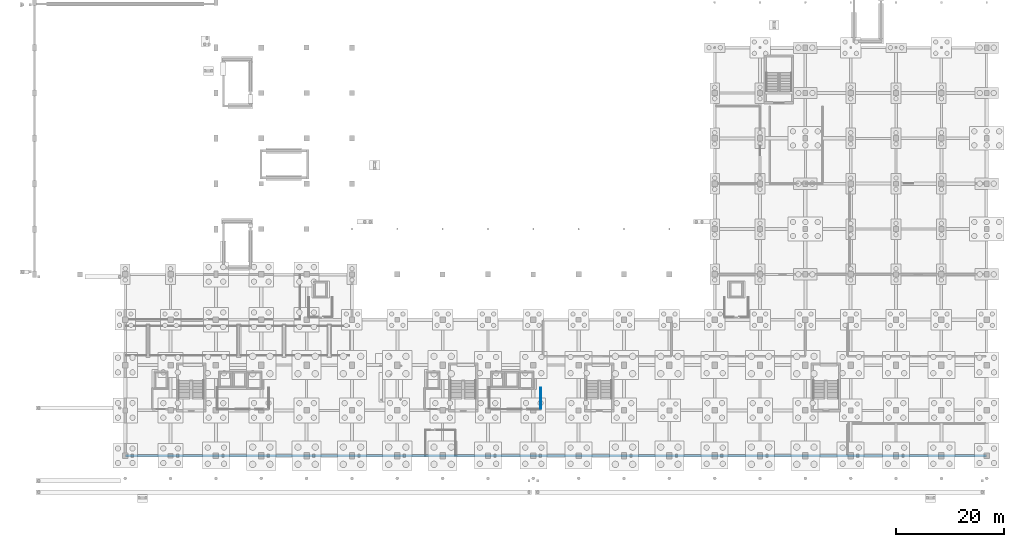
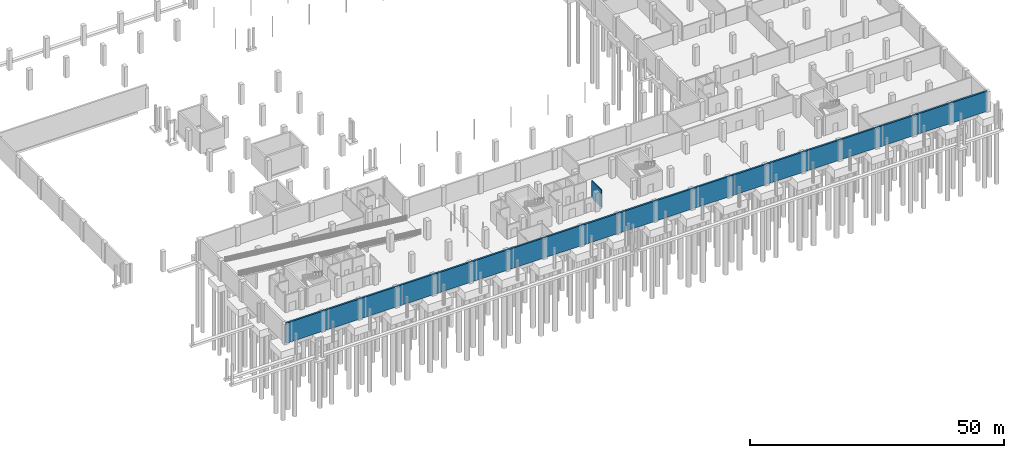
# One storey, part 32 of 39: 2 walls.
"""IFC4 building model written with IfcOpenShell, lengths in metres."""

import ifcopenshell
import ifcopenshell.guid

model = None  # the IFC model being written
_history = None  # IfcOwnerHistory: only IFC2X3 demands one
_inside = {}  # id of a spatial element -> (the spatial element, [elements in it])
_under = {}  # id of a project, library or spatial element -> (it, [spatial elements below it])
_declared = {}  # id of a project -> (the project, [libraries it declares])
_typed = {}  # id of a type object -> (the type object, [elements of that type])
_made_of = {}  # id of a material, layer set ... -> (it, [elements and type objects made of it])


def new_model(schema):
    """Start an empty IFC model of exactly this schema.

    Asked for "IFC4X3", IfcOpenShell would pick the latest addendum, in which some entities
    have other attributes; the version numbers below select the first issue.
    IFC2X3 requires an IfcOwnerHistory on every rooted entity: one is made here for all.
    """
    global model, _history
    if schema == "IFC4X3":
        model = ifcopenshell.file(schema_version=(4, 3, 0, 0))
    else:
        model = ifcopenshell.file(schema=schema)
    _inside.clear()
    _under.clear()
    _declared.clear()
    _typed.clear()
    _made_of.clear()
    _history = None
    if model.schema == "IFC2X3":
        org = make("IfcOrganization", Name="unknown")
        user = make(
            "IfcPersonAndOrganization",
            ThePerson=make("IfcPerson", FamilyName="unknown"),
            TheOrganization=org,
        )
        app = make(
            "IfcApplication",
            ApplicationDeveloper=org,
            Version="unknown",
            ApplicationFullName="unknown",
            ApplicationIdentifier="unknown",
        )
        _history = make(
            "IfcOwnerHistory",
            OwningUser=user,
            OwningApplication=app,
            ChangeAction="ADDED",
            CreationDate=0,
        )
    return model


def make(cls, **values):
    """One entity of the class cls with the attributes given. An attribute that is None is left unset."""
    return model.create_entity(
        cls, **{name: value for name, value in values.items() if value is not None}
    )


def rooted(cls, **values):
    """An entity with a GlobalId (a new one), such as an element, a storey or a relation."""
    return make(cls, GlobalId=ifcopenshell.guid.new(), OwnerHistory=_history, **values)


def si_unit(unit_type, name, prefix=None):
    """IfcSIUnit, for example si_unit("LENGTHUNIT", "METRE", prefix="MILLI")."""
    return make("IfcSIUnit", UnitType=unit_type, Prefix=prefix, Name=name)


def derived_unit(unit_type, elements):
    """IfcDerivedUnit: a product of units, each with its exponent."""
    return make(
        "IfcDerivedUnit",
        Elements=[
            make("IfcDerivedUnitElement", Unit=unit, Exponent=power)
            for unit, power in elements
        ],
        UnitType=unit_type,
    )


def assignment(units):
    """IfcUnitAssignment: the units of a project."""
    return None if units is None else make("IfcUnitAssignment", Units=units)


def point(xyz):
    """IfcCartesianPoint."""
    return None if xyz is None else make("IfcCartesianPoint", Coordinates=xyz)


def direction(xyz):
    """IfcDirection."""
    return None if xyz is None else make("IfcDirection", DirectionRatios=xyz)


def frame(location, z_axis=None, x_axis=None):
    """IfcAxis2Placement3D, a coordinate frame: its origin and axes. An axis left out is left unset."""
    return make(
        "IfcAxis2Placement3D",
        Location=point(location),
        Axis=direction(z_axis),
        RefDirection=direction(x_axis),
    )


def frame_2d(location, x_axis=None):
    """IfcAxis2Placement2D, a coordinate frame in the plane: its origin and x axis."""
    return make(
        "IfcAxis2Placement2D", Location=point(location), RefDirection=direction(x_axis)
    )


def origin():
    """The frame at (0, 0, 0) with its axes left unset."""
    return frame((0.0, 0.0, 0.0))


def place(relative_to, where):
    """IfcLocalPlacement: puts the frame where relative to a parent placement (None: the world)."""
    return make(
        "IfcLocalPlacement", PlacementRelTo=relative_to, RelativePlacement=where
    )


def context(
    kind, dimensions, precision=None, world=None, true_north=None, identifier=None
):
    """IfcGeometricRepresentationContext, for example the 3D "Model" context."""
    return make(
        "IfcGeometricRepresentationContext",
        ContextIdentifier=identifier,
        ContextType=kind,
        CoordinateSpaceDimension=dimensions,
        Precision=precision,
        WorldCoordinateSystem=world,
        TrueNorth=true_north,
    )


def subcontext(parent, identifier, kind, view, scale=None):
    """IfcGeometricRepresentationSubContext, for example "Body" below "Model"."""
    return make(
        "IfcGeometricRepresentationSubContext",
        ContextIdentifier=identifier,
        ContextType=kind,
        ParentContext=parent,
        TargetScale=scale,
        TargetView=view,
    )


def project(units=None, contexts=None):
    """IfcProject with its units and contexts."""
    return rooted(
        "IfcProject",
        Name="project",
        RepresentationContexts=contexts,
        UnitsInContext=assignment(units),
    )


def spatial(cls, under=None, at=None, **own):
    """A site, building, storey or space (cls), placed at a placement, below another one or the project."""
    s = rooted(cls, ObjectPlacement=at, **own)
    if under is not None:
        _under.setdefault(under.id(), (under, []))[1].append(s)
    return s


def profile(cls, at=None, kind="AREA", **sizes):
    """A parametric profile (cls). Its sizes go by their IFC names, for example OverallWidth=200.0."""
    return make(cls, ProfileType=kind, Position=at, **sizes)


def rectangle(**sizes):
    """IfcRectangleProfileDef."""
    return profile("IfcRectangleProfileDef", **sizes)


def extrude(swept, where, along, depth):
    """IfcExtrudedAreaSolid: the profile swept, set in the frame where, extruded along a direction by depth."""
    return make(
        "IfcExtrudedAreaSolid",
        SweptArea=swept,
        Position=where,
        ExtrudedDirection=direction(along),
        Depth=depth,
    )


def shape(context_of_items, identifier, shape_type, items):
    """IfcShapeRepresentation: the items that make up one representation, for example the "Body"."""
    return make(
        "IfcShapeRepresentation",
        ContextOfItems=context_of_items,
        RepresentationIdentifier=identifier,
        RepresentationType=shape_type,
        Items=items,
    )


def material(Name=None, Category=None):
    """IfcMaterial."""
    return make("IfcMaterial", Name=Name, Category=Category)


def layer(
    of_material, thickness, ventilated=None, Name=None, Category=None, Priority=None
):
    """IfcMaterialLayer: one layer of a wall or slab, of a material (None: an air gap)."""
    return make(
        "IfcMaterialLayer",
        Material=of_material,
        LayerThickness=thickness,
        IsVentilated=ventilated,
        Name=Name,
        Category=Category,
        Priority=Priority,
    )


def layer_set(layers, Name=None):
    """IfcMaterialLayerSet."""
    return make("IfcMaterialLayerSet", MaterialLayers=layers, LayerSetName=Name)


def made_of(thing, what):
    """Note that an element or type object is made of a material, layer set ...; save() writes the relation."""
    if what is not None:
        _made_of.setdefault(what.id(), (what, []))[1].append(thing)
    return thing


def type_object(cls, material=None, **own):
    """A type object (cls), such as IfcWallType, which elements share."""
    return made_of(rooted(cls, **own), material)


def element(
    cls,
    number,
    at=None,
    inside=None,
    cuts=None,
    type_object=None,
    material=None,
    context=None,
    identifier="Body",
    shape_type=None,
    held_by="IfcProductDefinitionShape",
    body=None,
    shapes=None,
    **own,
):
    """One element of the class cls, such as IfcWall. Its Tag is "e" and its number.

    at: its placement. inside: the storey or other place that contains it. cuts: it is an
    opening in that element (IfcRelVoidsElement). A single representation is given by context,
    identifier, shape_type and body (its items); several are given by shapes. held_by: the class
    of the entity that holds the representations. save() writes the other relations.
    """
    e = rooted(cls, Tag="e%d" % number, ObjectPlacement=at, **own)
    if body is not None:
        shapes = [shape(context, identifier, shape_type, body)]
    if shapes is not None:
        e.Representation = make(held_by, Representations=shapes)
    if inside is not None:
        _inside.setdefault(inside.id(), (inside, []))[1].append(e)
    if cuts is not None:
        rooted(
            "IfcRelVoidsElement", RelatingBuildingElement=cuts, RelatedOpeningElement=e
        )
    if type_object is not None:
        _typed.setdefault(type_object.id(), (type_object, []))[1].append(e)
    return made_of(e, material)


def aggregate(whole, parts):
    """IfcRelAggregates: a whole, such as a stair, and the parts it consists of."""
    return rooted("IfcRelAggregates", RelatingObject=whole, RelatedObjects=parts)


def save(model, path):
    """Write the relations noted so far, then the file.

    IfcRelAggregates (storeys below a building ...), IfcRelContainedInSpatialStructure (elements
    in a storey), IfcRelDefinesByType, IfcRelAssociatesMaterial and IfcRelDeclares: one each for
    every whole, place, type object, material and project.
    """
    for whole, parts in _under.values():
        aggregate(whole, parts)
    for where, things in _inside.values():
        rooted(
            "IfcRelContainedInSpatialStructure",
            RelatedElements=things,
            RelatingStructure=where,
        )
    for kind, things in _typed.values():
        rooted("IfcRelDefinesByType", RelatedObjects=things, RelatingType=kind)
    for what, things in _made_of.values():
        rooted("IfcRelAssociatesMaterial", RelatedObjects=things, RelatingMaterial=what)
    for by, libraries in _declared.values():
        rooted("IfcRelDeclares", RelatingContext=by, RelatedDefinitions=libraries)
    model.write(path)


model = new_model("IFC4")

# Units and contexts
model_context = context("Model", 3, precision=1e-05, world=origin(), true_north=direction((0.0, 1.0)))
body_context = subcontext(model_context, "Body", "Model", "MODEL_VIEW")
ifc_project = project(units=[si_unit("LENGTHUNIT", "METRE"), si_unit("AREAUNIT", "SQUARE_METRE"), si_unit("VOLUMEUNIT", "CUBIC_METRE"), si_unit("PLANEANGLEUNIT", "RADIAN"), si_unit("MASSUNIT", "GRAM", prefix="KILO"), derived_unit("THERMALTRANSMITTANCEUNIT", [(si_unit("POWERUNIT", "WATT"), 1), (si_unit("LENGTHUNIT", "METRE"), -2), (si_unit("THERMODYNAMICTEMPERATUREUNIT", "KELVIN"), -1)])], contexts=[model_context])

# Site, building, storey
site_placement = place(None, origin())
site = spatial("IfcSite", under=ifc_project, at=site_placement, CompositionType="ELEMENT")
building_placement = place(site_placement, origin())
building = spatial("IfcBuilding", under=site, at=building_placement, Name="Barrovel Congress Hotel", CompositionType="ELEMENT")
storey_placement = place(building_placement, frame((0.0, 0.0, -4.5)))
storey = spatial("IfcBuildingStorey", under=building, at=storey_placement, Name="B01", CompositionType="ELEMENT", Elevation=-4.5)

# Walls
ifc_material_1 = material(Name="Concrete C40", Category="concrete")
ifc_layer_1 = layer(ifc_material_1, 0.39990234375)
ifc_layer_set_1 = layer_set([ifc_layer_1], Name="Concrete C40")
wall_type_1 = type_object("IfcWallType", Name="EW-RET400", PredefinedType="STANDARD", material=ifc_layer_set_1)
wall_1_placement = place(storey_placement, frame((16.800048828125, 4.199951171875, -0.360107421875), z_axis=(0.0, 0.0, 1.0), x_axis=(1.0, 0.0, 0.0)))
element("IfcWall", 1, at=wall_1_placement, inside=storey, type_object=wall_type_1, Name="EW:B01:RET-01", PredefinedType="STANDARD", context=body_context, shape_type="SweptSolid", body=[
    extrude(rectangle(XDim=159.599853515625, YDim=0.39990234375, at=frame_2d((79.7998046875, 0.0))), origin(), (0.0, 0.0, 1.0), 4.860107421875),
])
ifc_material_2 = material(Name="Gypsum Acoustic Stud", Category="gypsum")
ifc_layer_2 = layer(ifc_material_2, 0.179931640625)
ifc_layer_set_2 = layer_set([ifc_layer_2], Name="Gypsum Acoustic Stud")
wall_type_2 = type_object("IfcWallType", Name="PW-ACU-180", PredefinedType="PARTITIONING", material=ifc_layer_set_2)
wall_2_placement = place(storey_placement, frame((93.780029296875, 12.909912109375, 0.0), z_axis=(0.0, 0.0, 1.0), x_axis=(0.0, 1.0, 0.0)))
element("IfcWall", 2, at=wall_2_placement, inside=storey, type_object=wall_type_2, Name="RW:SP:B01:LL-SL2:E", PredefinedType="PARTITIONING", context=body_context, shape_type="SweptSolid", body=[
    extrude(rectangle(XDim=3.8701171875, YDim=0.179931640625, at=frame_2d((1.93505859375, 0.0))), origin(), (0.0, 0.0, 1.0), 4.175048828125),
])

save(model, "model.ifc")
